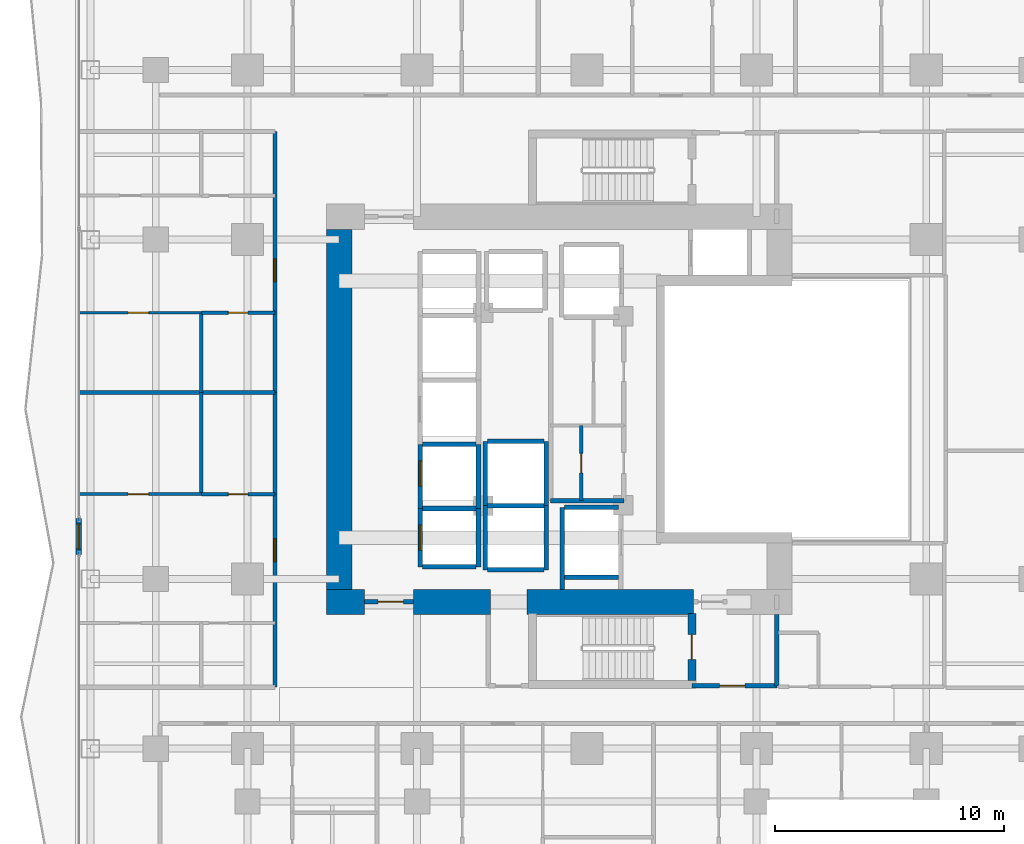
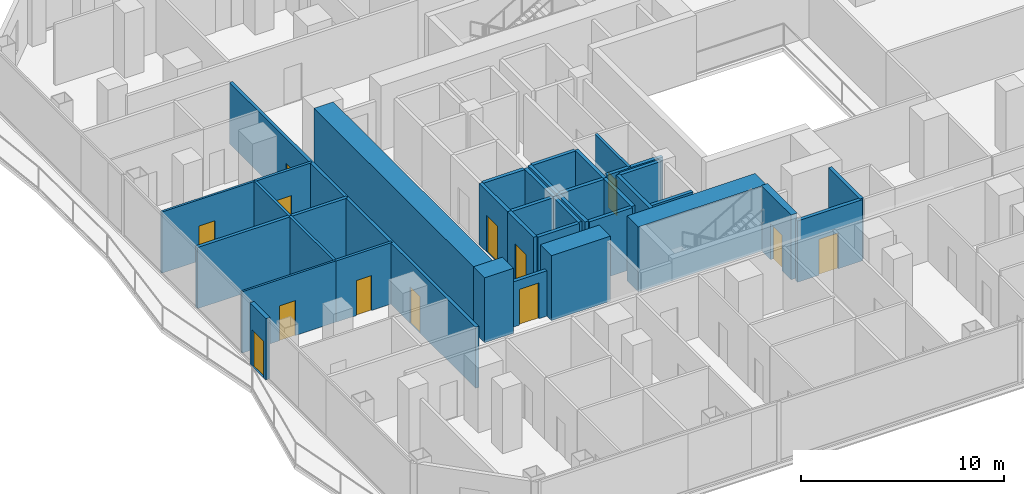
# One storey, part 21 of 28: 37 walls, 13 doors, 13 openings.
"""IFC4 building model written with IfcOpenShell, lengths in metres."""

from ifc_helpers import new_model, si_unit, direction, frame, frame_2d, origin, place, context, subcontext, project, spatial, rectangle, extrude, material, layer, layer_set, type_object, element, fill, save


model = new_model("IFC4")

# Units and contexts
model_context = context("Model", 3, precision=1e-05, world=origin(), true_north=direction((0.0, 1.0)))
body_context = subcontext(model_context, "Body", "Model", "MODEL_VIEW")
ifc_project = project(units=[si_unit("LENGTHUNIT", "METRE"), si_unit("AREAUNIT", "SQUARE_METRE"), si_unit("VOLUMEUNIT", "CUBIC_METRE"), si_unit("PLANEANGLEUNIT", "RADIAN"), si_unit("MASSUNIT", "GRAM", prefix="KILO")], contexts=[model_context])

# Site, building, storey
site_placement = place(None, origin())
site = spatial("IfcSite", under=ifc_project, at=site_placement, CompositionType="ELEMENT")
building_placement = place(site_placement, origin())
building = spatial("IfcBuilding", under=site, at=building_placement, Name="Khorvyn Point Tower", CompositionType="ELEMENT")
storey_placement = place(building_placement, frame((0.0, 0.0, 34.5)))
storey = spatial("IfcBuildingStorey", under=building, at=storey_placement, Name="L09", CompositionType="ELEMENT", Elevation=34.5)

# Wall, opening, door
ifc_material_1 = material(Name="Double acoustic gypsum on twin steel stud", Category="steel")
ifc_layer_1 = layer(ifc_material_1, 0.179931640625)
ifc_layer_set_1 = layer_set([ifc_layer_1], Name="Acoustic Double-Stud Apartment Demising Wall 180")
wall_type_1 = type_object("IfcWallType", Name="Acoustic Double-Stud Apartment Demising Wall 180", PredefinedType="PARTITIONING", material=ifc_layer_set_1)
wall_1_placement = place(storey_placement, frame((-13.60009765625, -12.1201171875, 0.0), z_axis=(0.0, 0.0, 1.0), x_axis=(0.0, 1.0, 0.0)))
wall_1 = element("IfcWall", 1, at=wall_1_placement, inside=storey, type_object=wall_type_1, Name="Wall", PredefinedType="PARTITIONING", context=body_context, shape_type="SweptSolid", body=[
    extrude(rectangle(XDim=12.84716796875, YDim=0.179931640625, at=frame_2d((6.423583984375, 0.0))), origin(), (0.0, 0.0, 1.0), 3.679931640625),
])
opening_1_placement = place(wall_1_placement, frame((5.480224609375, 0.0, 0.0)))
opening_1 = element("IfcOpeningElement", 2, at=opening_1_placement, cuts=wall_1, Name="Opening ID-AP60", PredefinedType="OPENING", context=body_context, shape_type="SweptSolid", body=[
    extrude(rectangle(XDim=1.0, YDim=2.199951171875, at=frame_2d((0.5, 1.10009765625))), frame((0.0, 0.099853515625, 0.0), z_axis=(0.0, -1.0, 0.0), x_axis=(1.0, 0.0, 0.0)), (0.0, 0.0, 1.0), 0.199951171875),
])
ifc_material_2 = material(Name="Engineered hardwood fire-rated leaf", Category="wood")
door_type_1 = type_object("IfcDoorType", Name="Acoustic Solid-Core Timber Apartment Entrance Door 1000x2200", OperationType="NOTDEFINED", PredefinedType="DOOR", material=ifc_material_2)
door_1_placement = place(opening_1_placement, origin())
door_1 = element("IfcDoor", 3, at=door_1_placement, inside=storey, type_object=door_type_1, Name="Door", OperationType="SINGLE_SWING_RIGHT", OverallHeight=2.199951171875, OverallWidth=1.0, PredefinedType="DOOR", context=body_context, shape_type="SweptSolid", body=[
    extrude(rectangle(XDim=1.0, YDim=2.199951171875, at=frame_2d((0.5, 1.10009765625))), frame((0.0, 0.02490234375, 0.0), z_axis=(0.0, -1.0, 0.0), x_axis=(1.0, 0.0, 0.0)), (0.0, 0.0, 1.0), 0.050048828125),
])
fill(opening_1, door_1)

wall_2_placement = place(storey_placement, frame((-13.60009765625, 0.72705078125, 0.0), z_axis=(0.0, 0.0, 1.0), x_axis=(0.0, 1.0, 0.0)))
wall_2 = element("IfcWall", 4, at=wall_2_placement, inside=storey, type_object=wall_type_1, Name="Wall", PredefinedType="PARTITIONING", context=body_context, shape_type="SweptSolid", body=[
    extrude(rectangle(XDim=11.39306640625, YDim=0.179931640625, at=frame_2d((5.696533203125, 0.0))), origin(), (0.0, 0.0, 1.0), 3.679931640625),
])
opening_2_placement = place(wall_2_placement, frame((4.836669921875, 0.0, 0.0)))
opening_2 = element("IfcOpeningElement", 5, at=opening_2_placement, cuts=wall_2, Name="Opening ID-AP60", PredefinedType="OPENING", context=body_context, shape_type="SweptSolid", body=[
    extrude(rectangle(XDim=1.0, YDim=2.199951171875, at=frame_2d((0.5, 1.10009765625))), frame((0.0, 0.099853515625, 0.0), z_axis=(0.0, -1.0, 0.0), x_axis=(1.0, 0.0, 0.0)), (0.0, 0.0, 1.0), 0.199951171875),
])
door_2_placement = place(opening_2_placement, origin())
door_2 = element("IfcDoor", 6, at=door_2_placement, inside=storey, type_object=door_type_1, Name="Door", OperationType="SINGLE_SWING_LEFT", OverallHeight=2.199951171875, OverallWidth=1.0, PredefinedType="DOOR", context=body_context, shape_type="SweptSolid", body=[
    extrude(rectangle(XDim=1.0, YDim=2.199951171875, at=frame_2d((0.5, 1.10009765625))), frame((0.0, 0.02490234375, 0.0), z_axis=(0.0, -1.0, 0.0), x_axis=(1.0, 0.0, 0.0)), (0.0, 0.0, 1.0), 0.050048828125),
])
fill(opening_2, door_2)

# Wall
wall_3_placement = place(storey_placement, frame((-22.1298828125, 0.72705078125, 0.0), z_axis=(0.0, 0.0, 1.0), x_axis=(1.0, 0.0, 0.0)))
element("IfcWall", 7, at=wall_3_placement, inside=storey, type_object=wall_type_1, Name="Wall", PredefinedType="PARTITIONING", context=body_context, shape_type="SweptSolid", body=[
    extrude(rectangle(XDim=8.52978515625, YDim=0.179931640625, at=frame_2d((4.264892578125, 0.0))), origin(), (0.0, 0.0, 1.0), 3.679931640625),
])

# Wall, opening, door
ifc_material_3 = material(Name="Pale anodised aluminium rainscreen on steel stud", Category="steel")
ifc_layer_2 = layer(ifc_material_3, 0.239990234375)
ifc_layer_set_2 = layer_set([ifc_layer_2], Name="Anodised Aluminium Insulated Corner Spandrel Wall 240")
wall_type_2 = type_object("IfcWallType", Name="Anodised Aluminium Insulated Corner Spandrel Wall 240", PredefinedType="SOLIDWALL", material=ifc_layer_set_2)
wall_4_placement = place(storey_placement, frame((-22.14990234375, -6.333984375, 0.0), z_axis=(0.0, 0.0, 1.0), x_axis=(0.0, 1.0, 0.0)))
wall_4 = element("IfcWall", 8, at=wall_4_placement, inside=storey, type_object=wall_type_2, Name="L09 West Outdoor Threshold Wall", PredefinedType="SOLIDWALL", context=body_context, shape_type="SweptSolid", body=[
    extrude(rectangle(XDim=1.580078125, YDim=0.239990234375, at=frame_2d((0.7900390625, 0.0))), origin(), (0.0, 0.0, 1.0), 3.679931640625),
])
opening_3_placement = place(wall_4_placement, frame((0.239990234375, 0.0, 0.0)))
opening_3 = element("IfcOpeningElement", 9, at=opening_3_placement, cuts=wall_4, Name="Opening BD-1122", PredefinedType="OPENING", context=body_context, shape_type="SweptSolid", body=[
    extrude(rectangle(XDim=1.10009765625, YDim=2.199951171875, at=frame_2d((0.550048828125, 1.10009765625))), frame((0.0, 0.1298828125, 0.0), z_axis=(0.0, -1.0, 0.0), x_axis=(1.0, 0.0, 0.0)), (0.0, 0.0, 1.0), 0.260009765625),
])
ifc_material_4 = material(Name="Anodised aluminium 6063-T6 and laminated Low-E glass", Category="aluminium")
door_type_2 = type_object("IfcDoorType", Name="Glazed Balcony and Terrace Threshold Door 1100x2200", OperationType="NOTDEFINED", PredefinedType="DOOR", material=ifc_material_4)
door_3_placement = place(opening_3_placement, origin())
door_3 = element("IfcDoor", 10, at=door_3_placement, inside=storey, type_object=door_type_2, Name="L09 West Glazed Balcony Outdoor Door", OperationType="SINGLE_SWING_RIGHT", OverallHeight=2.199951171875, OverallWidth=1.10009765625, PredefinedType="DOOR", context=body_context, shape_type="SweptSolid", body=[
    extrude(rectangle(XDim=1.10009765625, YDim=2.199951171875, at=frame_2d((0.550048828125, 1.10009765625))), frame((0.0, 0.02490234375, 0.0), z_axis=(0.0, -1.0, 0.0), x_axis=(1.0, 0.0, 0.0)), (0.0, 0.0, 1.0), 0.050048828125),
])
fill(opening_3, door_3)

ifc_material_5 = material(Name="Concrete C40/50", Category="concrete")
ifc_layer_3 = layer(ifc_material_5, 0.199951171875)
ifc_layer_set_3 = layer_set([ifc_layer_3], Name="Concrete C40/50 Fire-Lobby Compartment Wall 200")
wall_type_3 = type_object("IfcWallType", Name="Concrete C40/50 Fire-Lobby Compartment Wall 200", PredefinedType="SOLIDWALL", material=ifc_layer_set_3)
wall_5_placement = place(storey_placement, frame((4.580078125, -12.06005859375, 0.0), z_axis=(0.0, 0.0, 1.0), x_axis=(1.0, 0.0, 0.0)))
wall_5 = element("IfcWall", 11, at=wall_5_placement, inside=storey, type_object=wall_type_3, Name="Wall", PredefinedType="SOLIDWALL", context=body_context, shape_type="SweptSolid", body=[
    extrude(rectangle(XDim=3.699951171875, YDim=0.199951171875, at=frame_2d((1.85009765625, 0.0))), origin(), (0.0, 0.0, 1.0), 3.679931640625),
])
opening_4_placement = place(wall_5_placement, frame((1.21240234375, 0.0, 0.0)))
opening_4 = element("IfcOpeningElement", 12, at=opening_4_placement, cuts=wall_5, Name="Opening ID-FL90", PredefinedType="OPENING", context=body_context, shape_type="SweptSolid", body=[
    extrude(rectangle(XDim=1.10009765625, YDim=2.14990234375, at=frame_2d((0.550048828125, 1.074951171875))), frame((0.0, 0.10986328125, 0.0), z_axis=(0.0, -1.0, 0.0), x_axis=(1.0, 0.0, 0.0)), (0.0, 0.0, 1.0), 0.219970703125),
])
ifc_material_6 = material(Name="Galvanised powder-coated steel", Category="steel")
door_type_3 = type_object("IfcDoorType", Name="Fire-Rated Steel Lobby and Stair Door 1100x2150", OperationType="NOTDEFINED", PredefinedType="DOOR", material=ifc_material_6)
door_4_placement = place(opening_4_placement, origin())
door_4 = element("IfcDoor", 13, at=door_4_placement, inside=storey, type_object=door_type_3, Name="Door", OperationType="SINGLE_SWING_LEFT", OverallHeight=2.14990234375, OverallWidth=1.10009765625, PredefinedType="DOOR", context=body_context, shape_type="SweptSolid", body=[
    extrude(rectangle(XDim=1.10009765625, YDim=2.14990234375, at=frame_2d((0.550048828125, 1.074951171875))), frame((0.0, 0.02490234375, 0.0), z_axis=(0.0, -1.0, 0.0), x_axis=(1.0, 0.0, 0.0)), (0.0, 0.0, 1.0), 0.050048828125),
])
fill(opening_4, door_4)

wall_6_placement = place(storey_placement, frame((-9.699951171875, -8.39990234375, 0.0), z_axis=(0.0, 0.0, 1.0), x_axis=(1.0, 0.0, 0.0)))
wall_6 = element("IfcWall", 14, at=wall_6_placement, inside=storey, type_object=wall_type_3, Name="Wall", PredefinedType="SOLIDWALL", context=body_context, shape_type="SweptSolid", body=[
    extrude(rectangle(XDim=2.14990234375, YDim=0.199951171875, at=frame_2d((1.074951171875, 0.0))), origin(), (0.0, 0.0, 1.0), 2.719970703125),
])
opening_5_placement = place(wall_6_placement, frame((0.597900390625, 0.0, 0.0)))
opening_5 = element("IfcOpeningElement", 15, at=opening_5_placement, cuts=wall_6, Name="Opening ID-FL90", PredefinedType="OPENING", context=body_context, shape_type="SweptSolid", body=[
    extrude(rectangle(XDim=1.10009765625, YDim=2.14990234375, at=frame_2d((0.550048828125, 1.074951171875))), frame((0.0, 0.10986328125, 0.0), z_axis=(0.0, -1.0, 0.0), x_axis=(1.0, 0.0, 0.0)), (0.0, 0.0, 1.0), 0.219970703125),
])
door_5_placement = place(opening_5_placement, origin())
door_5 = element("IfcDoor", 16, at=door_5_placement, inside=storey, type_object=door_type_3, Name="Door", OperationType="SINGLE_SWING_RIGHT", OverallHeight=2.14990234375, OverallWidth=1.10009765625, PredefinedType="DOOR", context=body_context, shape_type="SweptSolid", body=[
    extrude(rectangle(XDim=1.10009765625, YDim=2.14990234375, at=frame_2d((0.550048828125, 1.074951171875))), frame((0.0, 0.02490234375, 0.0), z_axis=(0.0, -1.0, 0.0), x_axis=(1.0, 0.0, 0.0)), (0.0, 0.0, 1.0), 0.050048828125),
])
fill(opening_5, door_5)

# Walls
wall_7_placement = place(storey_placement, frame((8.280029296875, -12.06005859375, 0.0), z_axis=(0.0, 0.0, 1.0), x_axis=(0.0, 1.0, 0.0)))
element("IfcWall", 17, at=wall_7_placement, inside=storey, type_object=wall_type_3, Name="Wall", PredefinedType="SOLIDWALL", context=body_context, shape_type="SweptSolid", body=[
    extrude(rectangle(XDim=3.110107421875, YDim=0.199951171875, at=frame_2d((1.55517578125, 0.0))), origin(), (0.0, 0.0, 1.0), 3.679931640625),
])
wall_8_placement = place(storey_placement, frame((-1.580078125, -3.97998046875, 0.0), z_axis=(0.0, 0.0, 1.0), x_axis=(1.0, 0.0, 0.0)))
element("IfcWall", 18, at=wall_8_placement, inside=storey, type_object=wall_type_3, Name="Wall", PredefinedType="SOLIDWALL", context=body_context, shape_type="SweptSolid", body=[
    extrude(rectangle(XDim=3.190185546875, YDim=0.199951171875, at=frame_2d((1.59521484375, 0.0))), origin(), (0.0, 0.0, 1.0), 3.679931640625),
])

# Wall, opening, door
ifc_layer_4 = layer(ifc_material_5, 0.35009765625)
ifc_layer_set_4 = layer_set([ifc_layer_4], Name="Concrete C40/50 Stair Shaft Structural Wall 350")
wall_type_4 = type_object("IfcWallType", Name="Concrete C40/50 Stair Shaft Structural Wall 350", PredefinedType="SHEAR", material=ifc_layer_set_4)
wall_9_placement = place(storey_placement, frame((4.580078125, -8.89990234375, 0.0), z_axis=(0.0, 0.0, 1.0), x_axis=(0.0, -1.0, 0.0)))
wall_9 = element("IfcWall", 19, at=wall_9_placement, inside=storey, type_object=wall_type_4, Name="L09 ST-01 East Landing Door Wall", PredefinedType="SHEAR", context=body_context, shape_type="SweptSolid", body=[
    extrude(rectangle(XDim=2.925048828125, YDim=0.35009765625, at=frame_2d((1.46240234375, 0.0))), origin(), (0.0, 0.0, 1.0), 3.89990234375),
])
opening_6_placement = place(wall_9_placement, frame((0.91259765625, 0.0, 0.0)))
opening_6 = element("IfcOpeningElement", 20, at=opening_6_placement, cuts=wall_9, Name="Opening ID-FL90", PredefinedType="OPENING", context=body_context, shape_type="SweptSolid", body=[
    extrude(rectangle(XDim=1.10009765625, YDim=2.14990234375, at=frame_2d((0.550048828125, 1.074951171875))), frame((0.0, 0.18505859375, 0.0), z_axis=(0.0, -1.0, 0.0), x_axis=(1.0, 0.0, 0.0)), (0.0, 0.0, 1.0), 0.3701171875),
])
door_6_placement = place(opening_6_placement, origin())
door_6 = element("IfcDoor", 21, at=door_6_placement, inside=storey, type_object=door_type_3, Name="L09 ST-01 Smokeproof Landing Door", OperationType="SINGLE_SWING_LEFT", OverallHeight=2.14990234375, OverallWidth=1.10009765625, PredefinedType="DOOR", context=body_context, shape_type="SweptSolid", body=[
    extrude(rectangle(XDim=1.10009765625, YDim=2.14990234375, at=frame_2d((0.550048828125, 1.074951171875))), frame((0.0, 0.02490234375, 0.0), z_axis=(0.0, -1.0, 0.0), x_axis=(1.0, 0.0, 0.0)), (0.0, 0.0, 1.0), 0.050048828125),
])
fill(opening_6, door_6)

ifc_layer_5 = layer(ifc_material_5, 0.199951171875)
ifc_layer_set_5 = layer_set([ifc_layer_5], Name="Concrete C40/50 Structural Hoistway and Stair Shaft Wall 200")
wall_type_5 = type_object("IfcWallType", Name="Concrete C40/50 Structural Hoistway and Stair Shaft Wall 200", PredefinedType="SHEAR", material=ifc_layer_set_5)
wall_10_placement = place(storey_placement, frame((-7.27490234375, -6.875, 0.0), z_axis=(0.0, 0.0, 1.0), x_axis=(0.0, 1.0, 0.0)))
wall_10 = element("IfcWall", 22, at=wall_10_placement, inside=storey, type_object=wall_type_5, Name="Wall", PredefinedType="SHEAR", context=body_context, shape_type="SweptSolid", body=[
    extrude(rectangle(XDim=2.550048828125, YDim=0.199951171875, at=frame_2d((1.27490234375, 0.0))), origin(), (0.0, 0.0, 1.0), 3.679931640625),
])
opening_7_placement = place(wall_10_placement, frame((0.72509765625, 0.0, 0.0)))
opening_7 = element("IfcOpeningElement", 23, at=opening_7_placement, cuts=wall_10, Name="Opening LD-1122", PredefinedType="OPENING", context=body_context, shape_type="SweptSolid", body=[
    extrude(rectangle(XDim=1.10009765625, YDim=2.199951171875, at=frame_2d((0.550048828125, 1.10009765625))), frame((0.0, 0.10986328125, 0.0), z_axis=(0.0, -1.0, 0.0), x_axis=(1.0, 0.0, 0.0)), (0.0, 0.0, 1.0), 0.219970703125),
])
ifc_material_7 = material(Name="Stainless steel 1.4301", Category="steel")
door_type_4 = type_object("IfcDoorType", Name="Stainless Steel Automatic Sliding Lift Landing Door 1100x2200", OperationType="SLIDING_TO_LEFT", PredefinedType="DOOR", material=ifc_material_7)
door_7_placement = place(opening_7_placement, origin())
door_7 = element("IfcDoor", 24, at=door_7_placement, inside=storey, type_object=door_type_4, Name="L09 RL-01 Sliding Lift Landing Door", OperationType="SLIDING_TO_LEFT", OverallHeight=2.199951171875, OverallWidth=1.10009765625, PredefinedType="DOOR", context=body_context, shape_type="SweptSolid", body=[
    extrude(rectangle(XDim=1.10009765625, YDim=2.199951171875, at=frame_2d((0.550048828125, 1.10009765625))), frame((0.0, 0.02490234375, 0.0), z_axis=(0.0, -1.0, 0.0), x_axis=(1.0, 0.0, 0.0)), (0.0, 0.0, 1.0), 0.050048828125),
])
fill(opening_7, door_7)

# Walls
wall_11_placement = place(storey_placement, frame((-4.72509765625, -6.875, 0.0), z_axis=(0.0, 0.0, 1.0), x_axis=(0.0, 1.0, 0.0)))
element("IfcWall", 25, at=wall_11_placement, inside=storey, type_object=wall_type_5, Name="Wall", PredefinedType="SHEAR", context=body_context, shape_type="SweptSolid", body=[
    extrude(rectangle(XDim=2.550048828125, YDim=0.199951171875, at=frame_2d((1.27490234375, 0.0))), origin(), (0.0, 0.0, 1.0), 3.679931640625),
])
for number, where, z_axis, x_axis, name in (
    (26, (-7.175048828125, -6.875, 0.0), (0.0, 0.0, 1.0), (1.0, 0.0, 0.0), "Wall"),
    (27, (-7.175048828125, -4.324951171875, 0.0), (0.0, 0.0, 1.0), (1.0, 0.0, 0.0), "Wall"),
):
    element("IfcWall", number, at=place(storey_placement, frame(where, z_axis=z_axis, x_axis=x_axis)), inside=storey, type_object=wall_type_5, Name=name, PredefinedType="SHEAR", context=body_context, shape_type="SweptSolid", body=[
        extrude(rectangle(XDim=2.35009765625, YDim=0.199951171875, at=frame_2d((1.175048828125, 0.0))), origin(), (0.0, 0.0, 1.0), 3.679931640625),
    ])

# Wall, opening, door
wall_12_placement = place(storey_placement, frame((-7.27490234375, -4.324951171875, 0.0), z_axis=(0.0, 0.0, 1.0), x_axis=(0.0, 1.0, 0.0)))
wall_12 = element("IfcWall", 28, at=wall_12_placement, inside=storey, type_object=wall_type_5, Name="Wall", PredefinedType="SHEAR", context=body_context, shape_type="SweptSolid", body=[
    extrude(rectangle(XDim=2.800048828125, YDim=0.199951171875, at=frame_2d((1.39990234375, 0.0))), origin(), (0.0, 0.0, 1.0), 3.679931640625),
])
opening_8_placement = place(wall_12_placement, frame((0.97509765625, 0.0, 0.0)))
opening_8 = element("IfcOpeningElement", 29, at=opening_8_placement, cuts=wall_12, Name="Opening LD-1122", PredefinedType="OPENING", context=body_context, shape_type="SweptSolid", body=[
    extrude(rectangle(XDim=1.10009765625, YDim=2.199951171875, at=frame_2d((0.550048828125, 1.10009765625))), frame((0.0, 0.10986328125, 0.0), z_axis=(0.0, -1.0, 0.0), x_axis=(1.0, 0.0, 0.0)), (0.0, 0.0, 1.0), 0.219970703125),
])
door_8_placement = place(opening_8_placement, origin())
door_8 = element("IfcDoor", 30, at=door_8_placement, inside=storey, type_object=door_type_4, Name="L09 RL-02 Sliding Lift Landing Door", OperationType="SLIDING_TO_LEFT", OverallHeight=2.199951171875, OverallWidth=1.10009765625, PredefinedType="DOOR", context=body_context, shape_type="SweptSolid", body=[
    extrude(rectangle(XDim=1.10009765625, YDim=2.199951171875, at=frame_2d((0.550048828125, 1.10009765625))), frame((0.0, 0.02490234375, 0.0), z_axis=(0.0, -1.0, 0.0), x_axis=(1.0, 0.0, 0.0)), (0.0, 0.0, 1.0), 0.050048828125),
])
fill(opening_8, door_8)

# Walls
wall_13_placement = place(storey_placement, frame((-4.72509765625, -4.324951171875, 0.0), z_axis=(0.0, 0.0, 1.0), x_axis=(0.0, 1.0, 0.0)))
element("IfcWall", 31, at=wall_13_placement, inside=storey, type_object=wall_type_5, Name="Wall", PredefinedType="SHEAR", context=body_context, shape_type="SweptSolid", body=[
    extrude(rectangle(XDim=2.800048828125, YDim=0.199951171875, at=frame_2d((1.39990234375, 0.0))), origin(), (0.0, 0.0, 1.0), 3.679931640625),
])
wall_14_placement = place(storey_placement, frame((-7.175048828125, -1.52490234375, 0.0), z_axis=(0.0, 0.0, 1.0), x_axis=(1.0, 0.0, 0.0)))
element("IfcWall", 32, at=wall_14_placement, inside=storey, type_object=wall_type_5, Name="Wall", PredefinedType="SHEAR", context=body_context, shape_type="SweptSolid", body=[
    extrude(rectangle(XDim=2.35009765625, YDim=0.199951171875, at=frame_2d((1.175048828125, 0.0))), origin(), (0.0, 0.0, 1.0), 3.679931640625),
])
for number, where, z_axis, x_axis, name in (
    (33, (-4.425048828125, -7.0, 0.0), (0.0, 0.0, 1.0), (0.0, 1.0, 0.0), "Wall"),
    (34, (-1.77490234375, -7.0, 0.0), (0.0, 0.0, 1.0), (0.0, 1.0, 0.0), "Wall"),
):
    element("IfcWall", number, at=place(storey_placement, frame(where, z_axis=z_axis, x_axis=x_axis)), inside=storey, type_object=wall_type_5, Name=name, PredefinedType="SHEAR", context=body_context, shape_type="SweptSolid", body=[
        extrude(rectangle(XDim=2.800048828125, YDim=0.199951171875, at=frame_2d((1.39990234375, 0.0))), origin(), (0.0, 0.0, 1.0), 3.679931640625),
    ])
for number, where, z_axis, x_axis, name in (
    (35, (-4.324951171875, -7.0, 0.0), (0.0, 0.0, 1.0), (1.0, 0.0, 0.0), "Wall"),
    (36, (-4.324951171875, -4.199951171875, 0.0), (0.0, 0.0, 1.0), (1.0, 0.0, 0.0), "Wall"),
):
    element("IfcWall", number, at=place(storey_placement, frame(where, z_axis=z_axis, x_axis=x_axis)), inside=storey, type_object=wall_type_5, Name=name, PredefinedType="SHEAR", context=body_context, shape_type="SweptSolid", body=[
        extrude(rectangle(XDim=2.449951171875, YDim=0.199951171875, at=frame_2d((1.22509765625, 0.0))), origin(), (0.0, 0.0, 1.0), 3.679931640625),
    ])
for number, where, z_axis, x_axis, name in (
    (37, (-4.425048828125, -4.199951171875, 0.0), (0.0, 0.0, 1.0), (0.0, 1.0, 0.0), "Wall"),
    (38, (-1.77490234375, -4.199951171875, 0.0), (0.0, 0.0, 1.0), (0.0, 1.0, 0.0), "Wall"),
):
    element("IfcWall", number, at=place(storey_placement, frame(where, z_axis=z_axis, x_axis=x_axis)), inside=storey, type_object=wall_type_5, Name=name, PredefinedType="SHEAR", context=body_context, shape_type="SweptSolid", body=[
        extrude(rectangle(XDim=2.800048828125, YDim=0.199951171875, at=frame_2d((1.39990234375, 0.0))), origin(), (0.0, 0.0, 1.0), 3.679931640625),
    ])
wall_15_placement = place(storey_placement, frame((-4.324951171875, -1.39990234375, 0.0), z_axis=(0.0, 0.0, 1.0), x_axis=(1.0, 0.0, 0.0)))
element("IfcWall", 39, at=wall_15_placement, inside=storey, type_object=wall_type_5, Name="Wall", PredefinedType="SHEAR", context=body_context, shape_type="SweptSolid", body=[
    extrude(rectangle(XDim=2.449951171875, YDim=0.199951171875, at=frame_2d((1.22509765625, 0.0))), origin(), (0.0, 0.0, 1.0), 3.679931640625),
])
wall_16_placement = place(storey_placement, frame((-1.074951171875, -7.85009765625, 0.0), z_axis=(0.0, 0.0, 1.0), x_axis=(0.0, 1.0, 0.0)))
element("IfcWall", 40, at=wall_16_placement, inside=storey, type_object=wall_type_5, Name="Wall", PredefinedType="SHEAR", context=body_context, shape_type="SweptSolid", body=[
    extrude(rectangle(XDim=3.5751953125, YDim=0.199951171875, at=frame_2d((1.78759765625, 0.0))), origin(), (0.0, 0.0, 1.0), 3.679931640625),
])
for number, where, z_axis, x_axis, name in (
    (41, (-0.97509765625, -7.324951171875, 0.0), (0.0, 0.0, 1.0), (1.0, 0.0, 0.0), "Wall"),
    (42, (-0.97509765625, -4.27490234375, 0.0), (0.0, 0.0, 1.0), (1.0, 0.0, 0.0), "Wall"),
):
    element("IfcWall", number, at=place(storey_placement, frame(where, z_axis=z_axis, x_axis=x_axis)), inside=storey, type_object=wall_type_5, Name=name, PredefinedType="SHEAR", context=body_context, shape_type="SweptSolid", body=[
        extrude(rectangle(XDim=2.35009765625, YDim=0.199951171875, at=frame_2d((1.175048828125, 0.0))), origin(), (0.0, 0.0, 1.0), 3.679931640625),
    ])
ifc_material_8 = material(Name="Concrete C50/60", Category="concrete")
ifc_layer_6 = layer(ifc_material_8, 1.10009765625)
ifc_layer_set_6 = layer_set([ifc_layer_6], Name="Concrete C50/60 Core Shear Wall 1100")
wall_type_6 = type_object("IfcWallType", Name="Concrete C50/60 Core Shear Wall 1100", PredefinedType="SHEAR", material=ifc_layer_set_6)
wall_17_placement = place(storey_placement, frame((-11.35009765625, -8.39990234375, 0.0), z_axis=(0.0, 0.0, 1.0), x_axis=(1.0, 0.0, 0.0)))
element("IfcWall", 43, at=wall_17_placement, inside=storey, type_object=wall_type_6, Name="Wall", PredefinedType="SHEAR", context=body_context, shape_type="SweptSolid", body=[
    extrude(rectangle(XDim=1.650146484375, YDim=1.10009765625, at=frame_2d((0.8251953125, 0.0))), origin(), (0.0, 0.0, 1.0), 3.89990234375),
])
wall_18_placement = place(storey_placement, frame((-7.550048828125, -8.39990234375, 0.0), z_axis=(0.0, 0.0, 1.0), x_axis=(1.0, 0.0, 0.0)))
element("IfcWall", 44, at=wall_18_placement, inside=storey, type_object=wall_type_6, Name="Wall", PredefinedType="SHEAR", context=body_context, shape_type="SweptSolid", body=[
    extrude(rectangle(XDim=3.35009765625, YDim=1.10009765625, at=frame_2d((1.675048828125, 0.0))), origin(), (0.0, 0.0, 1.0), 3.89990234375),
])
wall_19_placement = place(storey_placement, frame((-2.6201171875, -8.39990234375, 0.0), z_axis=(0.0, 0.0, 1.0), x_axis=(1.0, 0.0, 0.0)))
element("IfcWall", 45, at=wall_19_placement, inside=storey, type_object=wall_type_6, Name="Wall", PredefinedType="SHEAR", context=body_context, shape_type="SweptSolid", body=[
    extrude(rectangle(XDim=7.27001953125, YDim=1.10009765625, at=frame_2d((3.635009765625, 0.0))), origin(), (0.0, 0.0, 1.0), 3.89990234375),
])
wall_20_placement = place(storey_placement, frame((-10.800048828125, -7.85009765625, 0.0), z_axis=(0.0, 0.0, 1.0), x_axis=(0.0, 1.0, 0.0)))
element("IfcWall", 46, at=wall_20_placement, inside=storey, type_object=wall_type_6, Name="Wall", PredefinedType="SHEAR", context=body_context, shape_type="SweptSolid", body=[
    extrude(rectangle(XDim=15.7001953125, YDim=1.10009765625, at=frame_2d((7.85009765625, 0.0))), origin(), (0.0, 0.0, 1.0), 3.89990234375),
])

# Wall, opening, door
ifc_material_9 = material(Name="Gypsum plasterboard on steel stud", Category="steel")
ifc_layer_7 = layer(ifc_material_9, 0.1201171875)
ifc_layer_set_7 = layer_set([ifc_layer_7], Name="Gypsum Acoustic Stud Room Partition Wall 120")
wall_type_7 = type_object("IfcWallType", Name="Gypsum Acoustic Stud Room Partition Wall 120", PredefinedType="PARTITIONING", material=ifc_layer_set_7)
wall_21_placement = place(storey_placement, frame((-22.1298828125, -3.698974609375, 0.0), z_axis=(0.0, 0.0, 1.0), x_axis=(1.0, 0.0, 0.0)))
wall_21 = element("IfcWall", 47, at=wall_21_placement, inside=storey, type_object=wall_type_7, Name="Wall", PredefinedType="PARTITIONING", context=body_context, shape_type="SweptSolid", body=[
    extrude(rectangle(XDim=5.32177734375, YDim=0.1201171875, at=frame_2d((2.660888671875, 0.0))), origin(), (0.0, 0.0, 1.0), 3.679931640625),
])
opening_9_placement = place(wall_21_placement, frame((2.121826171875, 0.0, 0.0)))
opening_9 = element("IfcOpeningElement", 48, at=opening_9_placement, cuts=wall_21, Name="Opening ID-RM90", PredefinedType="OPENING", context=body_context, shape_type="SweptSolid", body=[
    extrude(rectangle(XDim=0.89990234375, YDim=2.10009765625, at=frame_2d((0.449951171875, 1.050048828125))), frame((0.0, 0.070068359375, 0.0), z_axis=(0.0, -1.0, 0.0), x_axis=(1.0, 0.0, 0.0)), (0.0, 0.0, 1.0), 0.14013671875),
])
ifc_material_10 = material(Name="Engineered oak veneer timber", Category="wood")
door_type_5 = type_object("IfcDoorType", Name="Flush Engineered Timber Room Door 900x2100", OperationType="NOTDEFINED", PredefinedType="DOOR", material=ifc_material_10)
door_9_placement = place(opening_9_placement, origin())
door_9 = element("IfcDoor", 49, at=door_9_placement, inside=storey, type_object=door_type_5, Name="Door", OperationType="SINGLE_SWING_RIGHT", OverallHeight=2.10009765625, OverallWidth=0.89990234375, PredefinedType="DOOR", context=body_context, shape_type="SweptSolid", body=[
    extrude(rectangle(XDim=0.89990234375, YDim=2.10009765625, at=frame_2d((0.449951171875, 1.050048828125))), frame((0.0, 0.02490234375, 0.0), z_axis=(0.0, -1.0, 0.0), x_axis=(1.0, 0.0, 0.0)), (0.0, 0.0, 1.0), 0.050048828125),
])
fill(opening_9, door_9)

wall_22_placement = place(storey_placement, frame((-22.1298828125, 4.2080078125, 0.0), z_axis=(0.0, 0.0, 1.0), x_axis=(1.0, 0.0, 0.0)))
wall_22 = element("IfcWall", 50, at=wall_22_placement, inside=storey, type_object=wall_type_7, Name="Wall", PredefinedType="PARTITIONING", context=body_context, shape_type="SweptSolid", body=[
    extrude(rectangle(XDim=5.32177734375, YDim=0.1201171875, at=frame_2d((2.660888671875, 0.0))), origin(), (0.0, 0.0, 1.0), 3.679931640625),
])
opening_10_placement = place(wall_22_placement, frame((2.121826171875, 0.0, 0.0)))
opening_10 = element("IfcOpeningElement", 51, at=opening_10_placement, cuts=wall_22, Name="Opening ID-RM90", PredefinedType="OPENING", context=body_context, shape_type="SweptSolid", body=[
    extrude(rectangle(XDim=0.89990234375, YDim=2.10009765625, at=frame_2d((0.449951171875, 1.050048828125))), frame((0.0, 0.070068359375, 0.0), z_axis=(0.0, -1.0, 0.0), x_axis=(1.0, 0.0, 0.0)), (0.0, 0.0, 1.0), 0.14013671875),
])
door_10_placement = place(opening_10_placement, origin())
door_10 = element("IfcDoor", 52, at=door_10_placement, inside=storey, type_object=door_type_5, Name="Door", OperationType="SINGLE_SWING_RIGHT", OverallHeight=2.10009765625, OverallWidth=0.89990234375, PredefinedType="DOOR", context=body_context, shape_type="SweptSolid", body=[
    extrude(rectangle(XDim=0.89990234375, YDim=2.10009765625, at=frame_2d((0.449951171875, 1.050048828125))), frame((0.0, 0.02490234375, 0.0), z_axis=(0.0, -1.0, 0.0), x_axis=(1.0, 0.0, 0.0)), (0.0, 0.0, 1.0), 0.050048828125),
])
fill(opening_10, door_10)

ifc_material_11 = material(Name="Moisture-resistant gypsum and cement board", Category="gypsum")
ifc_layer_8 = layer(ifc_material_11, 0.14990234375)
ifc_layer_set_8 = layer_set([ifc_layer_8], Name="Moisture-Resistant Wet-Room Partition Wall 150")
wall_type_8 = type_object("IfcWallType", Name="Moisture-Resistant Wet-Room Partition Wall 150", PredefinedType="PARTITIONING", material=ifc_layer_set_8)
wall_23_placement = place(storey_placement, frame((-0.25, -3.97998046875, 0.0), z_axis=(0.0, 0.0, 1.0), x_axis=(0.0, 1.0, 0.0)))
wall_23 = element("IfcWall", 53, at=wall_23_placement, inside=storey, type_object=wall_type_8, Name="Wall", PredefinedType="PARTITIONING", context=body_context, shape_type="SweptSolid", body=[
    extrude(rectangle(XDim=3.27392578125, YDim=0.14990234375, at=frame_2d((1.636962890625, 0.0))), origin(), (0.0, 0.0, 1.0), 3.679931640625),
])
opening_11_placement = place(wall_23_placement, frame((1.2119140625, 0.0, 0.0)))
opening_11 = element("IfcOpeningElement", 54, at=opening_11_placement, cuts=wall_23, Name="Opening ID-WC85", PredefinedType="OPENING", context=body_context, shape_type="SweptSolid", body=[
    extrude(rectangle(XDim=0.85009765625, YDim=2.10009765625, at=frame_2d((0.425048828125, 1.050048828125))), frame((0.0, 0.0849609375, 0.0), z_axis=(0.0, -1.0, 0.0), x_axis=(1.0, 0.0, 0.0)), (0.0, 0.0, 1.0), 0.169921875),
])
ifc_material_12 = material(Name="High-pressure laminate on moisture-resistant core", Category="wood")
door_type_6 = type_object("IfcDoorType", Name="Moisture-Resistant Accessible Washroom Door 850x2100", OperationType="NOTDEFINED", PredefinedType="DOOR", material=ifc_material_12)
door_11_placement = place(opening_11_placement, origin())
door_11 = element("IfcDoor", 55, at=door_11_placement, inside=storey, type_object=door_type_6, Name="Door", OperationType="SINGLE_SWING_LEFT", OverallHeight=2.10009765625, OverallWidth=0.85009765625, PredefinedType="DOOR", context=body_context, shape_type="SweptSolid", body=[
    extrude(rectangle(XDim=0.85009765625, YDim=2.10009765625, at=frame_2d((0.425048828125, 1.050048828125))), frame((0.0, 0.02490234375, 0.0), z_axis=(0.0, -1.0, 0.0), x_axis=(1.0, 0.0, 0.0)), (0.0, 0.0, 1.0), 0.050048828125),
])
fill(opening_11, door_11)

wall_24_placement = place(storey_placement, frame((-16.80810546875, -3.698974609375, 0.0), z_axis=(0.0, 0.0, 1.0), x_axis=(1.0, 0.0, 0.0)))
wall_24 = element("IfcWall", 56, at=wall_24_placement, inside=storey, type_object=wall_type_8, Name="Wall", PredefinedType="PARTITIONING", context=body_context, shape_type="SweptSolid", body=[
    extrude(rectangle(XDim=3.2080078125, YDim=0.14990234375, at=frame_2d((1.60400390625, 0.0))), origin(), (0.0, 0.0, 1.0), 3.679931640625),
])
opening_12_placement = place(wall_24_placement, frame((1.178955078125, 0.0, 0.0)))
opening_12 = element("IfcOpeningElement", 57, at=opening_12_placement, cuts=wall_24, Name="Opening ID-WC85", PredefinedType="OPENING", context=body_context, shape_type="SweptSolid", body=[
    extrude(rectangle(XDim=0.85009765625, YDim=2.10009765625, at=frame_2d((0.425048828125, 1.050048828125))), frame((0.0, 0.0849609375, 0.0), z_axis=(0.0, -1.0, 0.0), x_axis=(1.0, 0.0, 0.0)), (0.0, 0.0, 1.0), 0.169921875),
])
door_12_placement = place(opening_12_placement, origin())
door_12 = element("IfcDoor", 58, at=door_12_placement, inside=storey, type_object=door_type_6, Name="Door", OperationType="SINGLE_SWING_LEFT", OverallHeight=2.10009765625, OverallWidth=0.85009765625, PredefinedType="DOOR", context=body_context, shape_type="SweptSolid", body=[
    extrude(rectangle(XDim=0.85009765625, YDim=2.10009765625, at=frame_2d((0.425048828125, 1.050048828125))), frame((0.0, 0.02490234375, 0.0), z_axis=(0.0, -1.0, 0.0), x_axis=(1.0, 0.0, 0.0)), (0.0, 0.0, 1.0), 0.050048828125),
])
fill(opening_12, door_12)

wall_25_placement = place(storey_placement, frame((-16.80810546875, 4.2080078125, 0.0), z_axis=(0.0, 0.0, 1.0), x_axis=(1.0, 0.0, 0.0)))
wall_25 = element("IfcWall", 59, at=wall_25_placement, inside=storey, type_object=wall_type_8, Name="Wall", PredefinedType="PARTITIONING", context=body_context, shape_type="SweptSolid", body=[
    extrude(rectangle(XDim=3.2080078125, YDim=0.14990234375, at=frame_2d((1.60400390625, 0.0))), origin(), (0.0, 0.0, 1.0), 3.679931640625),
])
opening_13_placement = place(wall_25_placement, frame((1.178955078125, 0.0, 0.0)))
opening_13 = element("IfcOpeningElement", 60, at=opening_13_placement, cuts=wall_25, Name="Opening ID-WC85", PredefinedType="OPENING", context=body_context, shape_type="SweptSolid", body=[
    extrude(rectangle(XDim=0.85009765625, YDim=2.10009765625, at=frame_2d((0.425048828125, 1.050048828125))), frame((0.0, 0.0849609375, 0.0), z_axis=(0.0, -1.0, 0.0), x_axis=(1.0, 0.0, 0.0)), (0.0, 0.0, 1.0), 0.169921875),
])
door_13_placement = place(opening_13_placement, origin())
door_13 = element("IfcDoor", 61, at=door_13_placement, inside=storey, type_object=door_type_6, Name="Door", OperationType="SINGLE_SWING_LEFT", OverallHeight=2.10009765625, OverallWidth=0.85009765625, PredefinedType="DOOR", context=body_context, shape_type="SweptSolid", body=[
    extrude(rectangle(XDim=0.85009765625, YDim=2.10009765625, at=frame_2d((0.425048828125, 1.050048828125))), frame((0.0, 0.02490234375, 0.0), z_axis=(0.0, -1.0, 0.0), x_axis=(1.0, 0.0, 0.0)), (0.0, 0.0, 1.0), 0.050048828125),
])
fill(opening_13, door_13)

# Walls
wall_26_placement = place(storey_placement, frame((-16.80810546875, -3.698974609375, 0.0), z_axis=(0.0, 0.0, 1.0), x_axis=(0.0, 1.0, 0.0)))
element("IfcWall", 62, at=wall_26_placement, inside=storey, type_object=wall_type_8, Name="Wall", PredefinedType="PARTITIONING", context=body_context, shape_type="SweptSolid", body=[
    extrude(rectangle(XDim=4.426025390625, YDim=0.14990234375, at=frame_2d((2.212890625, 0.0))), origin(), (0.0, 0.0, 1.0), 3.679931640625),
])
wall_27_placement = place(storey_placement, frame((-16.80810546875, 0.72705078125, 0.0), z_axis=(0.0, 0.0, 1.0), x_axis=(0.0, 1.0, 0.0)))
element("IfcWall", 63, at=wall_27_placement, inside=storey, type_object=wall_type_8, Name="Wall", PredefinedType="PARTITIONING", context=body_context, shape_type="SweptSolid", body=[
    extrude(rectangle(XDim=3.48095703125, YDim=0.14990234375, at=frame_2d((1.740478515625, 0.0))), origin(), (0.0, 0.0, 1.0), 3.679931640625),
])

save(model, "model.ifc")
